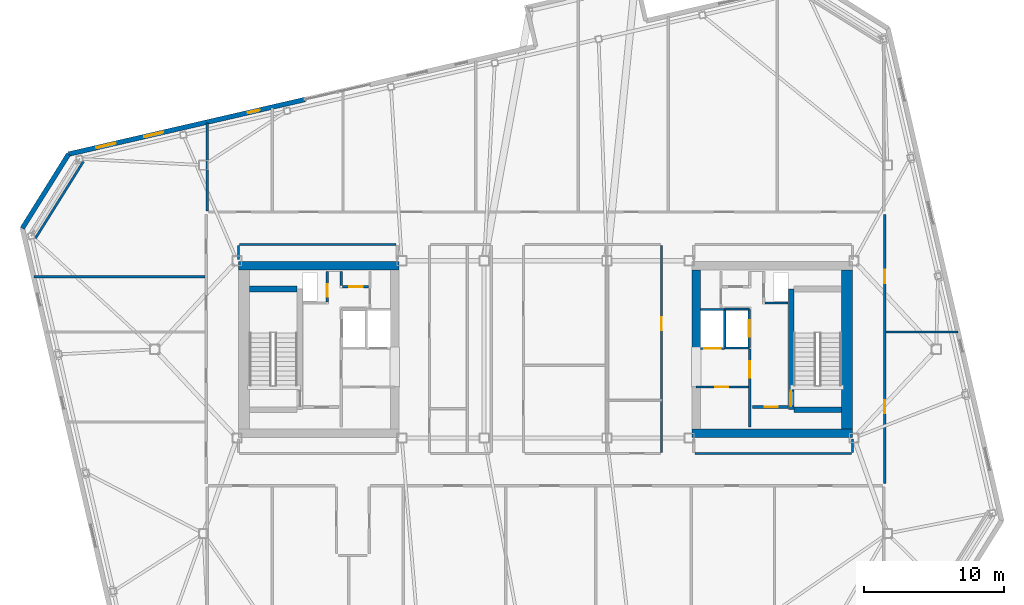
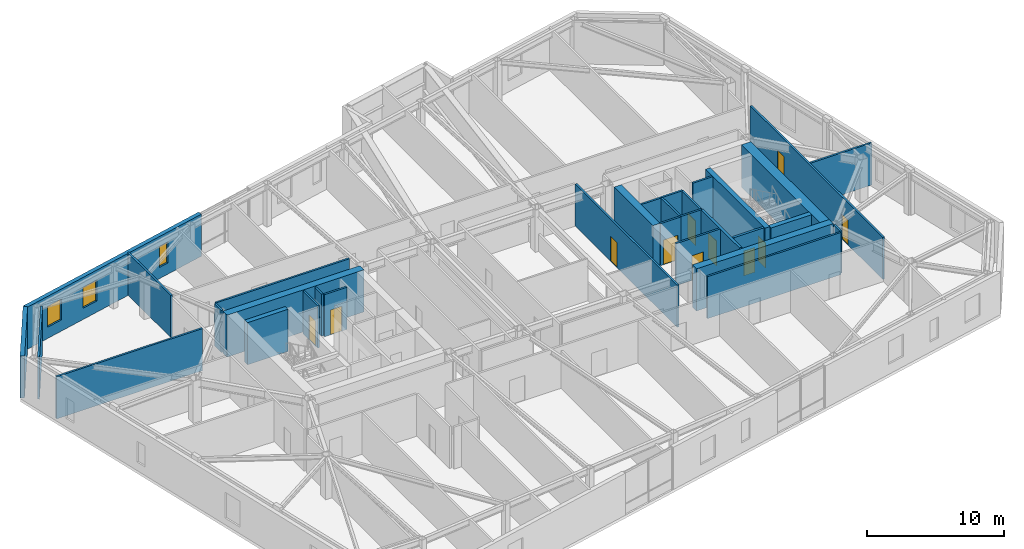
# One storey, part 17 of 22: 32 walls, 11 doors, 3 windows, 14 openings.
"""IFC4 building model written with IfcOpenShell, lengths in metres."""

from ifc_helpers import new_model, si_unit, direction, frame, frame_2d, origin, place, context, subcontext, project, spatial, rectangle, extrude, material, layer, layer_set, type_object, element, fill, save


model = new_model("IFC4")

# Units and contexts
model_context = context("Model", 3, precision=1e-05, world=origin(), true_north=direction((0.0, 1.0)))
body_context = subcontext(model_context, "Body", "Model", "MODEL_VIEW")
ifc_project = project(units=[si_unit("LENGTHUNIT", "METRE"), si_unit("AREAUNIT", "SQUARE_METRE"), si_unit("VOLUMEUNIT", "CUBIC_METRE"), si_unit("PLANEANGLEUNIT", "RADIAN"), si_unit("MASSUNIT", "GRAM", prefix="KILO")], contexts=[model_context])

# Site, building, storey
site_placement = place(None, origin())
site = spatial("IfcSite", under=ifc_project, at=site_placement, CompositionType="ELEMENT")
building_placement = place(site_placement, origin())
building = spatial("IfcBuilding", under=site, at=building_placement, Name="Tavrogorsk Clinical Tower", CompositionType="ELEMENT")
storey_placement = place(building_placement, frame((0.0, 0.0, 313.0)))
storey = spatial("IfcBuildingStorey", under=building, at=storey_placement, Name="L73", CompositionType="ELEMENT", Elevation=313.0)

# Wall, opening, door
ifc_material_1 = material(Name="Concrete B60", Category="concrete")
ifc_layer_1 = layer(ifc_material_1, 0.199951171875)
ifc_layer_set_1 = layer_set([ifc_layer_1], Name="Concrete B60")
wall_type_1 = type_object("IfcWallType", Name="CoreFireWall_200", PredefinedType="SOLIDWALL", material=ifc_layer_set_1)
wall_1_placement = place(storey_placement, frame((14.824951171875, -4.139892578125, 0.0), z_axis=(0.0, 0.0, 1.0), x_axis=(1.0, 0.0, 0.0)))
wall_1 = element("IfcWall", 1, at=wall_1_placement, inside=storey, type_object=wall_type_1, Name="L73 Core East South Core Room Fire Wall", PredefinedType="SOLIDWALL", context=body_context, shape_type="SweptSolid", body=[
    extrude(rectangle(XDim=2.554931640625, YDim=0.199951171875, at=frame_2d((1.27734375, 0.0))), origin(), (0.0, 0.0, 1.0), 3.739990234375),
])
opening_1_placement = place(wall_1_placement, frame((0.8798828125, 0.0, 0.0)))
opening_1 = element("IfcOpeningElement", 2, at=opening_1_placement, cuts=wall_1, Name="Opening ID-02", PredefinedType="OPENING", context=body_context, shape_type="SweptSolid", body=[
    extrude(rectangle(XDim=0.949951171875, YDim=2.199951171875, at=frame_2d((0.47509765625, 1.10009765625))), frame((0.0, 0.10986328125, 0.0), z_axis=(0.0, -1.0, 0.0), x_axis=(1.0, 0.0, 0.0)), (0.0, 0.0, 1.0), 0.219970703125),
])
ifc_material_2 = material(Name="Laminated timber leaf on aluminium frame", Category="wood")
door_type_1 = type_object("IfcDoorType", Name="InteriorDoor_ID02_950", OperationType="NOTDEFINED", PredefinedType="DOOR", material=ifc_material_2)
door_1_placement = place(opening_1_placement, origin())
door_1 = element("IfcDoor", 3, at=door_1_placement, inside=storey, type_object=door_type_1, Name="L73 Core East South Core Room Door", OperationType="SINGLE_SWING_RIGHT", OverallHeight=2.199951171875, OverallWidth=0.949951171875, PredefinedType="DOOR", context=body_context, shape_type="SweptSolid", body=[
    extrude(rectangle(XDim=0.949951171875, YDim=2.199951171875, at=frame_2d((0.47509765625, 1.10009765625))), frame((0.0, 0.02490234375, 0.0), z_axis=(0.0, -1.0, 0.0), x_axis=(1.0, 0.0, 0.0)), (0.0, 0.0, 1.0), 0.050048828125),
])
fill(opening_1, door_1)

wall_2_placement = place(storey_placement, frame((14.639892578125, -5.56005859375, 0.0), z_axis=(0.0, 0.0, 1.0), x_axis=(0.0, 1.0, 0.0)))
wall_2 = element("IfcWall", 4, at=wall_2_placement, inside=storey, type_object=wall_type_1, Name="L73 Core East Firefighting Lobby Fire Wall", PredefinedType="SOLIDWALL", context=body_context, shape_type="SweptSolid", body=[
    extrude(rectangle(XDim=5.60009765625, YDim=0.199951171875, at=frame_2d((2.800048828125, 0.0))), origin(), (0.0, 0.0, 1.0), 3.739990234375),
])
opening_2_placement = place(wall_2_placement, frame((3.510009765625, 0.0, 0.0)))
opening_2 = element("IfcOpeningElement", 5, at=opening_2_placement, cuts=wall_2, Name="Opening FD-01", PredefinedType="OPENING", context=body_context, shape_type="SweptSolid", body=[
    extrude(rectangle(XDim=1.199951171875, YDim=2.199951171875, at=frame_2d((0.60009765625, 1.10009765625))), frame((0.0, 0.10986328125, 0.0), z_axis=(0.0, -1.0, 0.0), x_axis=(1.0, 0.0, 0.0)), (0.0, 0.0, 1.0), 0.219970703125),
])
ifc_material_3 = material(Name="Galvanised steel fire-rated door assembly", Category="steel")
door_type_2 = type_object("IfcDoorType", Name="FireDoor_FD01_1200", OperationType="NOTDEFINED", PredefinedType="DOOR", material=ifc_material_3)
door_2_placement = place(opening_2_placement, origin())
door_2 = element("IfcDoor", 6, at=door_2_placement, inside=storey, type_object=door_type_2, Name="L73 Core East Firefighting Lobby Entry Door", OperationType="SINGLE_SWING_RIGHT", OverallHeight=2.199951171875, OverallWidth=1.199951171875, PredefinedType="DOOR", context=body_context, shape_type="SweptSolid", body=[
    extrude(rectangle(XDim=1.199951171875, YDim=2.199951171875, at=frame_2d((0.60009765625, 1.10009765625))), frame((0.0, 0.02490234375, 0.0), z_axis=(0.0, -1.0, 0.0), x_axis=(1.0, 0.0, 0.0)), (0.0, 0.0, 1.0), 0.050048828125),
])
fill(opening_2, door_2)

ifc_material_4 = material(Name="Lightweight concrete blockwork B15", Category="masonry")
ifc_layer_2 = layer(ifc_material_4, 0.159912109375)
ifc_layer_set_2 = layer_set([ifc_layer_2], Name="Lightweight concrete blockwork B15")
wall_type_2 = type_object("IfcWallType", Name="PartitionWall_160", PredefinedType="PARTITIONING", material=ifc_layer_set_2)
wall_3_placement = place(storey_placement, frame((-14.554931640625, 4.47998046875, 0.0), z_axis=(0.0, 0.0, 1.0), x_axis=(1.0, 0.0, 0.0)))
wall_3 = element("IfcWall", 7, at=wall_3_placement, inside=storey, type_object=wall_type_2, Name="L73 Core West Housekeeping South Wall", PredefinedType="PARTITIONING", context=body_context, shape_type="SweptSolid", body=[
    extrude(rectangle(XDim=1.889892578125, YDim=0.159912109375, at=frame_2d((0.94482421875, 0.0))), origin(), (0.0, 0.0, 1.0), 3.739990234375),
])
opening_3_placement = place(wall_3_placement, frame((0.5, 0.0, 0.0)))
opening_3 = element("IfcOpeningElement", 8, at=opening_3_placement, cuts=wall_3, Name="Opening ID-02", PredefinedType="OPENING", context=body_context, shape_type="SweptSolid", body=[
    extrude(rectangle(XDim=0.949951171875, YDim=2.199951171875, at=frame_2d((0.47509765625, 1.10009765625))), frame((0.0, 0.08984375, 0.0), z_axis=(0.0, -1.0, 0.0), x_axis=(1.0, 0.0, 0.0)), (0.0, 0.0, 1.0), 0.179931640625),
])
door_3_placement = place(opening_3_placement, origin())
door_3 = element("IfcDoor", 9, at=door_3_placement, inside=storey, type_object=door_type_1, Name="L73 Core West Housekeeping Closet Door", OperationType="SINGLE_SWING_LEFT", OverallHeight=2.199951171875, OverallWidth=0.949951171875, PredefinedType="DOOR", context=body_context, shape_type="SweptSolid", body=[
    extrude(rectangle(XDim=0.949951171875, YDim=2.199951171875, at=frame_2d((0.47509765625, 1.10009765625))), frame((0.0, 0.02490234375, 0.0), z_axis=(0.0, -1.0, 0.0), x_axis=(1.0, 0.0, 0.0)), (0.0, 0.0, 1.0), 0.050048828125),
])
fill(opening_3, door_3)

# Wall
wall_4_placement = place(storey_placement, frame((-14.639892578125, 4.56494140625, 0.0), z_axis=(0.0, 0.0, 1.0), x_axis=(0.0, 1.0, 0.0)))
element("IfcWall", 10, at=wall_4_placement, inside=storey, type_object=wall_type_2, Name="L73 Core West Housekeeping East Wall", PredefinedType="PARTITIONING", context=body_context, shape_type="SweptSolid", body=[
    extrude(rectangle(XDim=0.9951171875, YDim=0.159912109375, at=frame_2d((0.49755859375, 0.0))), origin(), (0.0, 0.0, 1.0), 3.739990234375),
])

# Wall, opening, door
wall_5_placement = place(storey_placement, frame((10.800048828125, -2.699951171875, 0.0), z_axis=(0.0, 0.0, 1.0), x_axis=(1.0, 0.0, 0.0)))
wall_5 = element("IfcWall", 11, at=wall_5_placement, inside=storey, type_object=wall_type_2, Name="L73 Core East Freed Mid-Bank North Partition", PredefinedType="PARTITIONING", context=body_context, shape_type="SweptSolid", body=[
    extrude(rectangle(XDim=3.73486328125, YDim=0.159912109375, at=frame_2d((1.867431640625, 0.0))), origin(), (0.0, 0.0, 1.0), 3.739990234375),
])
opening_4_placement = place(wall_5_placement, frame((1.35009765625, 0.0, 0.0)))
opening_4 = element("IfcOpeningElement", 12, at=opening_4_placement, cuts=wall_5, Name="Opening ID-02", PredefinedType="OPENING", context=body_context, shape_type="SweptSolid", body=[
    extrude(rectangle(XDim=0.949951171875, YDim=2.199951171875, at=frame_2d((0.47509765625, 1.10009765625))), frame((0.0, 0.08984375, 0.0), z_axis=(0.0, -1.0, 0.0), x_axis=(1.0, 0.0, 0.0)), (0.0, 0.0, 1.0), 0.179931640625),
])
door_4_placement = place(opening_4_placement, origin())
door_4 = element("IfcDoor", 13, at=door_4_placement, inside=storey, type_object=door_type_1, Name="L73 Core East Pharmacy Prep Door", OperationType="SINGLE_SWING_LEFT", OverallHeight=2.199951171875, OverallWidth=0.949951171875, PredefinedType="DOOR", context=body_context, shape_type="SweptSolid", body=[
    extrude(rectangle(XDim=0.949951171875, YDim=2.199951171875, at=frame_2d((0.47509765625, 1.10009765625))), frame((0.0, 0.02490234375, 0.0), z_axis=(0.0, -1.0, 0.0), x_axis=(1.0, 0.0, 0.0)), (0.0, 0.0, 1.0), 0.050048828125),
])
fill(opening_4, door_4)

# Wall
wall_6_placement = place(storey_placement, frame((-33.10009765625, 13.464599609375, 0.0), z_axis=(0.0, 0.0, 1.0), x_axis=(-0.529958457806, -0.848023604035, 0.0)))
element("IfcWall", 14, at=wall_6_placement, inside=storey, type_object=wall_type_2, Name="L73 Corner Exoskeleton Brace Furring Wall 3", PredefinedType="PARTITIONING", context=body_context, shape_type="SweptSolid", body=[
    extrude(rectangle(XDim=6.505126953125, YDim=0.159912109375, at=frame_2d((3.25244140625, 0.0))), origin(), (0.0, 0.0, 1.0), 3.739990234375),
])

# Wall, openings, doors
wall_7_placement = place(storey_placement, frame((24.31005859375, 9.6650390625, 0.0), z_axis=(0.0, 0.0, 1.0), x_axis=(0.0, -1.0, 0.0)))
wall_7 = element("IfcWall", 15, at=wall_7_placement, inside=storey, type_object=wall_type_2, Name="L73 Corridor Partition 03", PredefinedType="PARTITIONING", context=body_context, shape_type="SweptSolid", body=[
    extrude(rectangle(XDim=19.280029296875, YDim=0.159912109375, at=frame_2d((9.64013671875, 0.0))), origin(), (0.0, 0.0, 1.0), 3.739990234375),
])
opening_5_placement = place(wall_7_placement, frame((13.305908203125, 0.0, 0.0)))
opening_5 = element("IfcOpeningElement", 16, at=opening_5_placement, cuts=wall_7, Name="Opening ID-02", PredefinedType="OPENING", context=body_context, shape_type="SweptSolid", body=[
    extrude(rectangle(XDim=0.949951171875, YDim=2.199951171875, at=frame_2d((0.47509765625, 1.10009765625))), frame((0.0, 0.08984375, 0.0), z_axis=(0.0, -1.0, 0.0), x_axis=(1.0, 0.0, 0.0)), (0.0, 0.0, 1.0), 0.179931640625),
])
opening_6_placement = place(wall_7_placement, frame((3.968994140625, 0.0, 0.0)))
opening_6 = element("IfcOpeningElement", 17, at=opening_6_placement, cuts=wall_7, Name="Opening ID-02", PredefinedType="OPENING", context=body_context, shape_type="SweptSolid", body=[
    extrude(rectangle(XDim=0.949951171875, YDim=2.199951171875, at=frame_2d((0.47509765625, 1.10009765625))), frame((0.0, 0.08984375, 0.0), z_axis=(0.0, -1.0, 0.0), x_axis=(1.0, 0.0, 0.0)), (0.0, 0.0, 1.0), 0.179931640625),
])
door_5_placement = place(opening_5_placement, origin())
door_5 = element("IfcDoor", 18, at=door_5_placement, inside=storey, type_object=door_type_1, Name="L73 E Senior Clinician Suite 1 Door", OperationType="SINGLE_SWING_RIGHT", OverallHeight=2.199951171875, OverallWidth=0.949951171875, PredefinedType="DOOR", context=body_context, shape_type="SweptSolid", body=[
    extrude(rectangle(XDim=0.949951171875, YDim=2.199951171875, at=frame_2d((0.47509765625, 1.10009765625))), frame((0.0, 0.02490234375, 0.0), z_axis=(0.0, -1.0, 0.0), x_axis=(1.0, 0.0, 0.0)), (0.0, 0.0, 1.0), 0.050048828125),
])
fill(opening_5, door_5)
door_6_placement = place(opening_6_placement, origin())
door_6 = element("IfcDoor", 19, at=door_6_placement, inside=storey, type_object=door_type_1, Name="L73 E Multidisciplinary Seminar Suite 2 Door", OperationType="SINGLE_SWING_LEFT", OverallHeight=2.199951171875, OverallWidth=0.949951171875, PredefinedType="DOOR", context=body_context, shape_type="SweptSolid", body=[
    extrude(rectangle(XDim=0.949951171875, YDim=2.199951171875, at=frame_2d((0.47509765625, 1.10009765625))), frame((0.0, 0.02490234375, 0.0), z_axis=(0.0, -1.0, 0.0), x_axis=(1.0, 0.0, 0.0)), (0.0, 0.0, 1.0), 0.050048828125),
])
fill(opening_6, door_6)

# Walls
wall_8_placement = place(storey_placement, frame((10.715087890625, -7.469970703125, 0.0), z_axis=(0.0, 0.0, 1.0), x_axis=(1.0, 0.0, 0.0)))
element("IfcWall", 20, at=wall_8_placement, inside=storey, type_object=wall_type_2, Name="L73 Corridor Partition 12", PredefinedType="PARTITIONING", context=body_context, shape_type="SweptSolid", body=[
    extrude(rectangle(XDim=11.199951171875, YDim=0.159912109375, at=frame_2d((5.60009765625, 0.0))), origin(), (0.0, 0.0, 1.0), 3.739990234375),
])
wall_9_placement = place(storey_placement, frame((22.0, -7.385009765625, 0.0), z_axis=(0.0, 0.0, 1.0), x_axis=(0.0, 1.0, 0.0)))
element("IfcWall", 21, at=wall_9_placement, inside=storey, type_object=wall_type_2, Name="L73 Corridor Partition 13", PredefinedType="PARTITIONING", context=body_context, shape_type="SweptSolid", body=[
    extrude(rectangle(XDim=0.965087890625, YDim=0.159912109375, at=frame_2d((0.482421875, 0.0))), origin(), (0.0, 0.0, 1.0), 3.739990234375),
])

# Wall, opening, door
wall_10_placement = place(storey_placement, frame((8.320068359375, -7.385009765625, 0.0), z_axis=(0.0, 0.0, 1.0), x_axis=(0.0, 1.0, 0.0)))
wall_10 = element("IfcWall", 22, at=wall_10_placement, inside=storey, type_object=wall_type_2, Name="L73 Corridor Partition 18", PredefinedType="PARTITIONING", context=body_context, shape_type="SweptSolid", body=[
    extrude(rectangle(XDim=14.820068359375, YDim=0.159912109375, at=frame_2d((7.41015625, 0.0))), origin(), (0.0, 0.0, 1.0), 3.739990234375),
])
opening_7_placement = place(wall_10_placement, frame((8.73583984375, 0.0, 0.0)))
opening_7 = element("IfcOpeningElement", 23, at=opening_7_placement, cuts=wall_10, Name="Opening ID-02", PredefinedType="OPENING", context=body_context, shape_type="SweptSolid", body=[
    extrude(rectangle(XDim=0.949951171875, YDim=2.199951171875, at=frame_2d((0.47509765625, 1.10009765625))), frame((0.0, 0.08984375, 0.0), z_axis=(0.0, -1.0, 0.0), x_axis=(1.0, 0.0, 0.0)), (0.0, 0.0, 1.0), 0.179931640625),
])
door_7_placement = place(opening_7_placement, origin())
door_7 = element("IfcDoor", 24, at=door_7_placement, inside=storey, type_object=door_type_1, Name="L73 Attending Physician Office Door", OperationType="SINGLE_SWING_LEFT", OverallHeight=2.199951171875, OverallWidth=0.949951171875, PredefinedType="DOOR", context=body_context, shape_type="SweptSolid", body=[
    extrude(rectangle(XDim=0.949951171875, YDim=2.199951171875, at=frame_2d((0.47509765625, 1.10009765625))), frame((0.0, 0.02490234375, 0.0), z_axis=(0.0, -1.0, 0.0), x_axis=(1.0, 0.0, 0.0)), (0.0, 0.0, 1.0), 0.050048828125),
])
fill(opening_7, door_7)

# Walls
wall_11_placement = place(storey_placement, frame((-10.715087890625, 7.52001953125, 0.0), z_axis=(0.0, 0.0, 1.0), x_axis=(-1.0, 0.0, 0.0)))
element("IfcWall", 25, at=wall_11_placement, inside=storey, type_object=wall_type_2, Name="L73 Corridor Partition 25", PredefinedType="PARTITIONING", context=body_context, shape_type="SweptSolid", body=[
    extrude(rectangle(XDim=11.199951171875, YDim=0.159912109375, at=frame_2d((5.60009765625, 0.0))), origin(), (0.0, 0.0, 1.0), 3.739990234375),
])
wall_12_placement = place(storey_placement, frame((-22.0, 7.43505859375, 0.0), z_axis=(0.0, 0.0, 1.0), x_axis=(0.0, -1.0, 0.0)))
element("IfcWall", 26, at=wall_12_placement, inside=storey, type_object=wall_type_2, Name="L73 Corridor Partition 26", PredefinedType="PARTITIONING", context=body_context, shape_type="SweptSolid", body=[
    extrude(rectangle(XDim=1.01513671875, YDim=0.159912109375, at=frame_2d((0.507568359375, 0.0))), origin(), (0.0, 0.0, 1.0), 3.739990234375),
])
wall_13_placement = place(storey_placement, frame((-24.22998046875, 9.9150390625, 0.0), z_axis=(0.0, 0.0, 1.0), x_axis=(0.0, 1.0, 0.0)))
element("IfcWall", 27, at=wall_13_placement, inside=storey, type_object=wall_type_2, Name="L73 NW Wing Closure Partition", PredefinedType="PARTITIONING", context=body_context, shape_type="SweptSolid", body=[
    extrude(rectangle(XDim=6.2958984375, YDim=0.159912109375, at=frame_2d((3.14794921875, 0.0))), origin(), (0.0, 0.0, 1.0), 3.739990234375),
])
wall_14_placement = place(storey_placement, frame((-36.662841796875, 5.199951171875, 0.0), z_axis=(0.0, 0.0, 1.0), x_axis=(1.0, 0.0, 0.0)))
element("IfcWall", 28, at=wall_14_placement, inside=storey, type_object=wall_type_2, Name="L73 W Wing Divider 3", PredefinedType="PARTITIONING", context=body_context, shape_type="SweptSolid", body=[
    extrude(rectangle(XDim=12.267822265625, YDim=0.159912109375, at=frame_2d((6.1337890625, 0.0))), origin(), (0.0, 0.0, 1.0), 3.739990234375),
])
wall_15_placement = place(storey_placement, frame((24.39501953125, 1.25, 0.0), z_axis=(0.0, 0.0, 1.0), x_axis=(1.0, 0.0, 0.0)))
element("IfcWall", 29, at=wall_15_placement, inside=storey, type_object=wall_type_2, Name="L73 E Wing Divider 1", PredefinedType="PARTITIONING", context=body_context, shape_type="SweptSolid", body=[
    extrude(rectangle(XDim=5.1474609375, YDim=0.159912109375, at=frame_2d((2.57373046875, 0.0))), origin(), (0.0, 0.0, 1.0), 3.739990234375),
])

# Wall, openings, windows
ifc_material_5 = material(Name="Precast concrete B45 with limestone cladding", Category="masonry")
ifc_layer_3 = layer(ifc_material_5, 0.340087890625)
ifc_layer_set_3 = layer_set([ifc_layer_3], Name="Precast concrete B45 with limestone cladding")
wall_type_3 = type_object("IfcWallType", Name="PrecastLimestoneWall_340", PredefinedType="STANDARD", material=ifc_layer_set_3)
wall_16_placement = place(storey_placement, frame((-17.2451171875, 17.895263671875, 0.0), z_axis=(0.0, 0.0, 1.0), x_axis=(-0.97437318493, -0.224937539085, 0.0)))
wall_16 = element("IfcWall", 30, at=wall_16_placement, inside=storey, type_object=wall_type_3, Name="L73 N Limestone Facade Wall 3", PredefinedType="STANDARD", context=body_context, shape_type="SweptSolid", body=[
    extrude(rectangle(XDim=17.365966796875, YDim=0.340087890625, at=frame_2d((8.68310546875, 0.0))), origin(), (0.0, 0.0, 1.0), 3.739990234375),
])
opening_8_placement = place(wall_16_placement, frame((13.924560546875, 0.0, 1.0)))
opening_8 = element("IfcOpeningElement", 31, at=opening_8_placement, cuts=wall_16, Name="Opening WN-17", PredefinedType="OPENING", context=body_context, shape_type="SweptSolid", body=[
    extrude(rectangle(XDim=1.39990234375, YDim=1.85009765625, at=frame_2d((0.699951171875, 0.925048828125))), frame((0.0, 0.179931640625, 0.0), z_axis=(0.0, -1.0, 0.0), x_axis=(1.0, 0.0, 0.0)), (0.0, 0.0, 1.0), 0.360107421875),
])
opening_9_placement = place(wall_16_placement, frame((10.412841796875, 0.0, 1.0)))
opening_9 = element("IfcOpeningElement", 32, at=opening_9_placement, cuts=wall_16, Name="Opening WN-17", PredefinedType="OPENING", context=body_context, shape_type="SweptSolid", body=[
    extrude(rectangle(XDim=1.39990234375, YDim=1.85009765625, at=frame_2d((0.699951171875, 0.925048828125))), frame((0.0, 0.179931640625, 0.0), z_axis=(0.0, -1.0, 0.0), x_axis=(1.0, 0.0, 0.0)), (0.0, 0.0, 1.0), 0.360107421875),
])
opening_10_placement = place(wall_16_placement, frame((3.32861328125, 0.0, 1.0)))
opening_10 = element("IfcOpeningElement", 33, at=opening_10_placement, cuts=wall_16, Name="Opening WN-06", PredefinedType="OPENING", context=body_context, shape_type="SweptSolid", body=[
    extrude(rectangle(XDim=0.85009765625, YDim=1.85009765625, at=frame_2d((0.425048828125, 0.925048828125))), frame((0.0, 0.179931640625, 0.0), z_axis=(0.0, -1.0, 0.0), x_axis=(1.0, 0.0, 0.0)), (0.0, 0.0, 1.0), 0.360107421875),
])
ifc_material_6 = material(Name="Thermally broken aluminium frame and triple IGU", Category="aluminium")
window_type_1 = type_object("IfcWindowType", Name="MullionSubWin_850x1850", PartitioningType="SINGLE_PANEL", PredefinedType="WINDOW", material=ifc_material_6)
window_1_placement = place(opening_10_placement, origin())
window_1 = element("IfcWindow", 34, at=window_1_placement, inside=storey, type_object=window_type_1, Name="L73 N Mullion Split Window 04B", OverallHeight=1.85009765625, OverallWidth=0.85009765625, PartitioningType="SINGLE_PANEL", PredefinedType="WINDOW", context=body_context, shape_type="SweptSolid", body=[
    extrude(rectangle(XDim=0.85009765625, YDim=1.85009765625, at=frame_2d((0.425048828125, 0.925048828125))), frame((0.0, 0.030029296875, 0.0), z_axis=(0.0, -1.0, 0.0), x_axis=(1.0, 0.0, 0.0)), (0.0, 0.0, 1.0), 0.06005859375),
])
fill(opening_10, window_1)
ifc_material_7 = material(Name="Thermally broken aluminium frame and triple IGU", Category="aluminium")
window_type_2 = type_object("IfcWindowType", Name="TelemetryWin_1400x1850", PartitioningType="SINGLE_PANEL", PredefinedType="WINDOW", material=ifc_material_7)
window_2_placement = place(opening_8_placement, origin())
window_2 = element("IfcWindow", 35, at=window_2_placement, inside=storey, type_object=window_type_2, Name="L73 N Chicago Window 01", OverallHeight=1.85009765625, OverallWidth=1.39990234375, PartitioningType="SINGLE_PANEL", PredefinedType="WINDOW", context=body_context, shape_type="SweptSolid", body=[
    extrude(rectangle(XDim=1.39990234375, YDim=1.85009765625, at=frame_2d((0.699951171875, 0.925048828125))), frame((0.0, 0.030029296875, 0.0), z_axis=(0.0, -1.0, 0.0), x_axis=(1.0, 0.0, 0.0)), (0.0, 0.0, 1.0), 0.06005859375),
])
fill(opening_8, window_2)
window_3_placement = place(opening_9_placement, origin())
window_3 = element("IfcWindow", 36, at=window_3_placement, inside=storey, type_object=window_type_2, Name="L73 N Chicago Window 02", OverallHeight=1.85009765625, OverallWidth=1.39990234375, PartitioningType="SINGLE_PANEL", PredefinedType="WINDOW", context=body_context, shape_type="SweptSolid", body=[
    extrude(rectangle(XDim=1.39990234375, YDim=1.85009765625, at=frame_2d((0.699951171875, 0.925048828125))), frame((0.0, 0.030029296875, 0.0), z_axis=(0.0, -1.0, 0.0), x_axis=(1.0, 0.0, 0.0)), (0.0, 0.0, 1.0), 0.06005859375),
])
fill(opening_9, window_3)

# Wall
wall_17_placement = place(storey_placement, frame((-34.165771484375, 13.989013671875, 0.0), z_axis=(0.0, 0.0, 1.0), x_axis=(-0.529935887993, -0.848037708252, 0.0)))
element("IfcWall", 37, at=wall_17_placement, inside=storey, type_object=wall_type_3, Name="L73 Chamfered Corner Wall 3", PredefinedType="STANDARD", context=body_context, shape_type="SweptSolid", body=[
    extrude(rectangle(XDim=6.26513671875, YDim=0.340087890625, at=frame_2d((3.132568359375, 0.0))), origin(), (0.0, 0.0, 1.0), 3.739990234375),
])

# Wall, opening, door
ifc_material_8 = material(Name="Lightweight concrete blockwork B25", Category="masonry")
ifc_layer_4 = layer(ifc_material_8, 0.159912109375)
ifc_layer_set_4 = layer_set([ifc_layer_4], Name="Lightweight concrete blockwork B25")
wall_type_4 = type_object("IfcWallType", Name="ShaftWall_160", PredefinedType="PARTITIONING", material=ifc_layer_set_4)
wall_18_placement = place(storey_placement, frame((14.60009765625, 0.1201171875, 0.0), z_axis=(0.0, 0.0, 1.0), x_axis=(0.0, 1.0, 0.0)))
wall_18 = element("IfcWall", 38, at=wall_18_placement, inside=storey, type_object=wall_type_4, Name="L73 FFL-E Firefighting Lift Front Wall", PredefinedType="PARTITIONING", context=body_context, shape_type="SweptSolid", body=[
    extrude(rectangle(XDim=2.739990234375, YDim=0.159912109375, at=frame_2d((1.3701171875, 0.0))), origin(), (0.0, 0.0, 1.0), 3.739990234375),
])
opening_11_placement = place(wall_18_placement, frame((0.77001953125, 0.0, 0.0)))
opening_11 = element("IfcOpeningElement", 39, at=opening_11_placement, cuts=wall_18, Name="Opening LD", PredefinedType="OPENING", context=body_context, shape_type="SweptSolid", body=[
    extrude(rectangle(XDim=1.199951171875, YDim=2.199951171875, at=frame_2d((0.60009765625, 1.10009765625))), frame((0.0, 0.08984375, 0.0), z_axis=(0.0, -1.0, 0.0), x_axis=(1.0, 0.0, 0.0)), (0.0, 0.0, 1.0), 0.179931640625),
])
ifc_material_9 = material(Name="Brushed stainless steel AISI 304 sliding doors", Category="steel")
door_type_3 = type_object("IfcDoorType", Name="LiftLandingDoor_LD_1200", OperationType="SLIDING_TO_LEFT", PredefinedType="DOOR", material=ifc_material_9)
door_8_placement = place(opening_11_placement, origin())
door_8 = element("IfcDoor", 40, at=door_8_placement, inside=storey, type_object=door_type_3, Name="L73 FFL-E Sliding Lift Landing Door", OperationType="SLIDING_TO_LEFT", OverallHeight=2.199951171875, OverallWidth=1.199951171875, PredefinedType="DOOR", context=body_context, shape_type="SweptSolid", body=[
    extrude(rectangle(XDim=1.199951171875, YDim=2.199951171875, at=frame_2d((0.60009765625, 1.10009765625))), frame((0.0, 0.02490234375, 0.0), z_axis=(0.0, -1.0, 0.0), x_axis=(1.0, 0.0, 0.0)), (0.0, 0.0, 1.0), 0.050048828125),
])
fill(opening_11, door_8)

# Walls
for number, where, z_axis, x_axis, name in (
    (41, (12.840087890625, 0.10009765625, 0.0), (0.0, 0.0, 1.0), (1.0, 0.0, 0.0), "L73 FFL-E Shaft South Wall"),
    (42, (12.840087890625, 2.8798828125, 0.0), (0.0, 0.0, 1.0), (1.0, 0.0, 0.0), "L73 FFL-E Shaft North Wall"),
):
    element("IfcWall", number, at=place(storey_placement, frame(where, z_axis=z_axis, x_axis=x_axis)), inside=storey, type_object=wall_type_4, Name=name, PredefinedType="PARTITIONING", context=body_context, shape_type="SweptSolid", body=[
        extrude(rectangle(XDim=1.760009765625, YDim=0.159912109375, at=frame_2d((0.8798828125, 0.0))), origin(), (0.0, 0.0, 1.0), 3.739990234375),
    ])
wall_19_placement = place(storey_placement, frame((12.840087890625, 0.179931640625, 0.0), z_axis=(0.0, 0.0, 1.0), x_axis=(0.0, 1.0, 0.0)))
element("IfcWall", 43, at=wall_19_placement, inside=storey, type_object=wall_type_4, Name="L73 FFL-E Shaft Back Wall", PredefinedType="PARTITIONING", context=body_context, shape_type="SweptSolid", body=[
    extrude(rectangle(XDim=2.6201171875, YDim=0.159912109375, at=frame_2d((1.31005859375, 0.0))), origin(), (0.0, 0.0, 1.0), 3.739990234375),
])

# Wall, opening, door
wall_20_placement = place(storey_placement, frame((11.10009765625, 0.06005859375, 0.0), z_axis=(0.0, 0.0, 1.0), x_axis=(1.0, 0.0, 0.0)))
wall_20 = element("IfcWall", 44, at=wall_20_placement, inside=storey, type_object=wall_type_4, Name="L73 LP-H2 High-Zone Lift Portal Wall", PredefinedType="PARTITIONING", context=body_context, shape_type="SweptSolid", body=[
    extrude(rectangle(XDim=1.719970703125, YDim=0.159912109375, at=frame_2d((0.85986328125, 0.0))), origin(), (0.0, 0.0, 1.0), 3.739990234375),
])
opening_12_placement = place(wall_20_placement, frame((0.260009765625, 0.0, 0.0)))
opening_12 = element("IfcOpeningElement", 45, at=opening_12_placement, cuts=wall_20, Name="Opening LD", PredefinedType="OPENING", context=body_context, shape_type="SweptSolid", body=[
    extrude(rectangle(XDim=1.199951171875, YDim=2.199951171875, at=frame_2d((0.60009765625, 1.10009765625))), frame((0.0, 0.08984375, 0.0), z_axis=(0.0, -1.0, 0.0), x_axis=(1.0, 0.0, 0.0)), (0.0, 0.0, 1.0), 0.179931640625),
])
door_9_placement = place(opening_12_placement, origin())
door_9 = element("IfcDoor", 46, at=door_9_placement, inside=storey, type_object=door_type_3, Name="L73 LP-H2 Sliding Lift Landing Door", OperationType="SLIDING_TO_LEFT", OverallHeight=2.199951171875, OverallWidth=1.199951171875, PredefinedType="DOOR", context=body_context, shape_type="SweptSolid", body=[
    extrude(rectangle(XDim=1.199951171875, YDim=2.199951171875, at=frame_2d((0.60009765625, 1.10009765625))), frame((0.0, 0.02490234375, 0.0), z_axis=(0.0, -1.0, 0.0), x_axis=(1.0, 0.0, 0.0)), (0.0, 0.0, 1.0), 0.050048828125),
])
fill(opening_12, door_9)

# Wall
wall_21_placement = place(storey_placement, frame((11.10009765625, 2.860107421875, 0.0), z_axis=(0.0, 0.0, 1.0), x_axis=(1.0, 0.0, 0.0)))
element("IfcWall", 47, at=wall_21_placement, inside=storey, type_object=wall_type_4, Name="L73 LP-H2 High-Zone Lift Rear Wall", PredefinedType="PARTITIONING", context=body_context, shape_type="SweptSolid", body=[
    extrude(rectangle(XDim=1.719970703125, YDim=0.159912109375, at=frame_2d((0.85986328125, 0.0))), origin(), (0.0, 0.0, 1.0), 3.739990234375),
])

# Wall, opening, door
wall_22_placement = place(storey_placement, frame((-15.639892578125, 3.405029296875, 0.0), z_axis=(0.0, 0.0, 1.0), x_axis=(0.0, 1.0, 0.0)))
wall_22 = element("IfcWall", 48, at=wall_22_placement, inside=storey, type_object=wall_type_4, Name="L73 Core West Riser West Wall", PredefinedType="PARTITIONING", context=body_context, shape_type="SweptSolid", body=[
    extrude(rectangle(XDim=2.155029296875, YDim=0.159912109375, at=frame_2d((1.07763671875, 0.0))), origin(), (0.0, 0.0, 1.0), 3.739990234375),
])
opening_13_placement = place(wall_22_placement, frame((0.35009765625, 0.0, 0.0)))
opening_13 = element("IfcOpeningElement", 49, at=opening_13_placement, cuts=wall_22, Name="Opening FD-02", PredefinedType="OPENING", context=body_context, shape_type="SweptSolid", body=[
    extrude(rectangle(XDim=0.89990234375, YDim=2.199951171875, at=frame_2d((0.449951171875, 1.10009765625))), frame((0.0, 0.08984375, 0.0), z_axis=(0.0, -1.0, 0.0), x_axis=(1.0, 0.0, 0.0)), (0.0, 0.0, 1.0), 0.179931640625),
])
ifc_material_10 = material(Name="Galvanised steel fire-rated door assembly", Category="steel")
door_type_4 = type_object("IfcDoorType", Name="FireDoor_FD02_900", OperationType="NOTDEFINED", PredefinedType="DOOR", material=ifc_material_10)
door_10_placement = place(opening_13_placement, origin())
door_10 = element("IfcDoor", 50, at=door_10_placement, inside=storey, type_object=door_type_4, Name="L73 Core West Electrical Riser Access Door", OperationType="SINGLE_SWING_LEFT", OverallHeight=2.199951171875, OverallWidth=0.89990234375, PredefinedType="DOOR", context=body_context, shape_type="SweptSolid", body=[
    extrude(rectangle(XDim=0.89990234375, YDim=2.199951171875, at=frame_2d((0.449951171875, 1.10009765625))), frame((0.0, 0.02490234375, 0.0), z_axis=(0.0, -1.0, 0.0), x_axis=(1.0, 0.0, 0.0)), (0.0, 0.0, 1.0), 0.050048828125),
])
fill(opening_13, door_10)

# Walls
wall_23_placement = place(storey_placement, frame((15.72509765625, 3.320068359375, 0.0), z_axis=(0.0, 0.0, 1.0), x_axis=(1.0, 0.0, 0.0)))
element("IfcWall", 51, at=wall_23_placement, inside=storey, type_object=wall_type_4, Name="L73 Core East Riser South Wall", PredefinedType="PARTITIONING", context=body_context, shape_type="SweptSolid", body=[
    extrude(rectangle(XDim=1.65478515625, YDim=0.159912109375, at=frame_2d((0.827392578125, 0.0))), origin(), (0.0, 0.0, 1.0), 3.739990234375),
])
ifc_material_11 = material(Name="Concrete B80", Category="concrete")
ifc_layer_5 = layer(ifc_material_11, 0.39990234375)
ifc_layer_set_5 = layer_set([ifc_layer_5], Name="Concrete B80")
wall_type_5 = type_object("IfcWallType", Name="ShearWall_400", PredefinedType="SHEAR", material=ifc_layer_set_5)
wall_24_placement = place(storey_placement, frame((-21.199951171875, 4.324951171875, 0.0), z_axis=(0.0, 0.0, 1.0), x_axis=(1.0, 0.0, 0.0)))
element("IfcWall", 52, at=wall_24_placement, inside=storey, type_object=wall_type_5, Name="L73 Core West Stair Shaft North Shear Wall", PredefinedType="SHEAR", context=body_context, shape_type="SweptSolid", body=[
    extrude(rectangle(XDim=3.39990234375, YDim=0.39990234375, at=frame_2d((1.699951171875, 0.0))), origin(), (0.0, 0.0, 1.0), 3.739990234375),
])

# Wall, opening, door
wall_25_placement = place(storey_placement, frame((17.60009765625, -4.324951171875, 0.0), z_axis=(0.0, 0.0, 1.0), x_axis=(0.0, 1.0, 0.0)))
wall_25 = element("IfcWall", 53, at=wall_25_placement, inside=storey, type_object=wall_type_5, Name="L73 Core East Stair Shaft Inner Shear Wall", PredefinedType="SHEAR", context=body_context, shape_type="SweptSolid", body=[
    extrude(rectangle(XDim=8.64990234375, YDim=0.39990234375, at=frame_2d((4.324951171875, 0.0))), origin(), (0.0, 0.0, 1.0), 3.739990234375),
])
opening_14_placement = place(wall_25_placement, frame((0.25, 0.0, 0.0)))
opening_14 = element("IfcOpeningElement", 54, at=opening_14_placement, cuts=wall_25, Name="Opening SD-01", PredefinedType="OPENING", context=body_context, shape_type="SweptSolid", body=[
    extrude(rectangle(XDim=1.10009765625, YDim=2.199951171875, at=frame_2d((0.550048828125, 1.10009765625))), frame((0.0, 0.2099609375, 0.0), z_axis=(0.0, -1.0, 0.0), x_axis=(1.0, 0.0, 0.0)), (0.0, 0.0, 1.0), 0.419921875),
])
ifc_material_12 = material(Name="Galvanised steel smoke-tight fire door assembly", Category="steel")
door_type_5 = type_object("IfcDoorType", Name="StairFireDoor_SD01_1100", OperationType="NOTDEFINED", PredefinedType="DOOR", material=ifc_material_12)
door_11_placement = place(opening_14_placement, origin())
door_11 = element("IfcDoor", 55, at=door_11_placement, inside=storey, type_object=door_type_5, Name="L73 ST-E Exit Stair Door", OperationType="SINGLE_SWING_LEFT", OverallHeight=2.199951171875, OverallWidth=1.10009765625, PredefinedType="DOOR", context=body_context, shape_type="SweptSolid", body=[
    extrude(rectangle(XDim=1.10009765625, YDim=2.199951171875, at=frame_2d((0.550048828125, 1.10009765625))), frame((0.0, 0.02490234375, 0.0), z_axis=(0.0, -1.0, 0.0), x_axis=(1.0, 0.0, 0.0)), (0.0, 0.0, 1.0), 0.050048828125),
])
fill(opening_14, door_11)

# Walls
wall_26_placement = place(storey_placement, frame((17.800048828125, -4.324951171875, 0.0), z_axis=(0.0, 0.0, 1.0), x_axis=(1.0, 0.0, 0.0)))
element("IfcWall", 56, at=wall_26_placement, inside=storey, type_object=wall_type_5, Name="L73 Core East Stair Shaft South Shear Wall", PredefinedType="SHEAR", context=body_context, shape_type="SweptSolid", body=[
    extrude(rectangle(XDim=3.39990234375, YDim=0.39990234375, at=frame_2d((1.699951171875, 0.0))), origin(), (0.0, 0.0, 1.0), 3.739990234375),
])
ifc_material_13 = material(Name="Concrete B80", Category="concrete")
ifc_layer_6 = layer(ifc_material_13, 0.60009765625)
ifc_layer_set_6 = layer_set([ifc_layer_6], Name="Concrete B80")
wall_type_6 = type_object("IfcWallType", Name="ShearWall_600", PredefinedType="SHEAR", material=ifc_layer_set_6)
for number, where, z_axis, x_axis, name in (
    (57, (-22.0, 6.0, 0.0), (0.0, 0.0, 1.0), (1.0, 0.0, 0.0), "L73 Core West North Shear Wall"),
    (58, (10.5, -6.0, 0.0), (0.0, 0.0, 1.0), (1.0, 0.0, 0.0), "L73 Core East South Shear Wall"),
):
    element("IfcWall", number, at=place(storey_placement, frame(where, z_axis=z_axis, x_axis=x_axis)), inside=storey, type_object=wall_type_6, Name=name, PredefinedType="SHEAR", context=body_context, shape_type="SweptSolid", body=[
        extrude(rectangle(XDim=11.5, YDim=0.60009765625, at=frame_2d((5.75, 0.0))), origin(), (0.0, 0.0, 1.0), 3.739990234375),
    ])
wall_27_placement = place(storey_placement, frame((10.800048828125, 0.050048828125, 0.0), z_axis=(0.0, 0.0, 1.0), x_axis=(0.0, 1.0, 0.0)))
element("IfcWall", 59, at=wall_27_placement, inside=storey, type_object=wall_type_6, Name="L73 Core East Inner North Pier", PredefinedType="SHEAR", context=body_context, shape_type="SweptSolid", body=[
    extrude(rectangle(XDim=5.64990234375, YDim=0.60009765625, at=frame_2d((2.824951171875, 0.0))), origin(), (0.0, 0.0, 1.0), 3.739990234375),
])
ifc_material_14 = material(Name="Concrete B80", Category="concrete")
ifc_layer_7 = layer(ifc_material_14, 0.800048828125)
ifc_layer_set_7 = layer_set([ifc_layer_7], Name="Concrete B80")
wall_type_7 = type_object("IfcWallType", Name="ShearWall_800", PredefinedType="SHEAR", material=ifc_layer_set_7)
wall_28_placement = place(storey_placement, frame((21.60009765625, -5.699951171875, 0.0), z_axis=(0.0, 0.0, 1.0), x_axis=(0.0, 1.0, 0.0)))
element("IfcWall", 60, at=wall_28_placement, inside=storey, type_object=wall_type_7, Name="L73 Core East End Shear Wall", PredefinedType="SHEAR", context=body_context, shape_type="SweptSolid", body=[
    extrude(rectangle(XDim=11.39990234375, YDim=0.800048828125, at=frame_2d((5.699951171875, 0.0))), origin(), (0.0, 0.0, 1.0), 3.739990234375),
])

save(model, "model.ifc")
